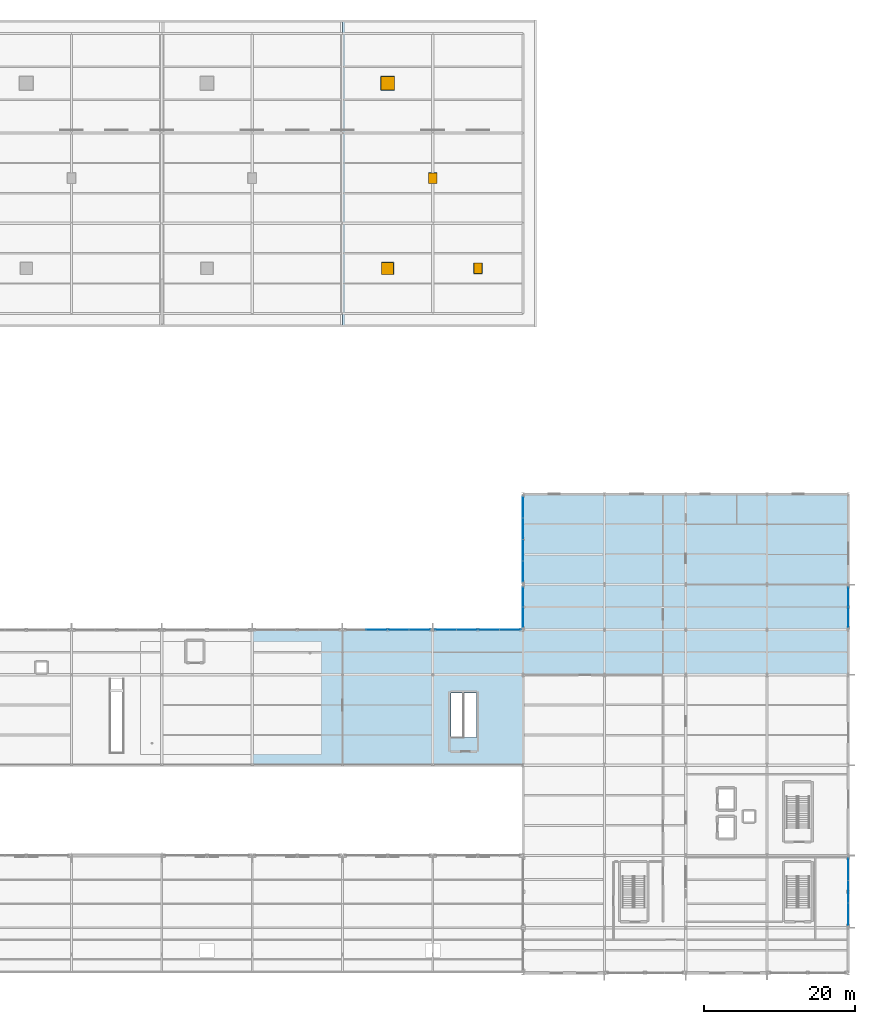
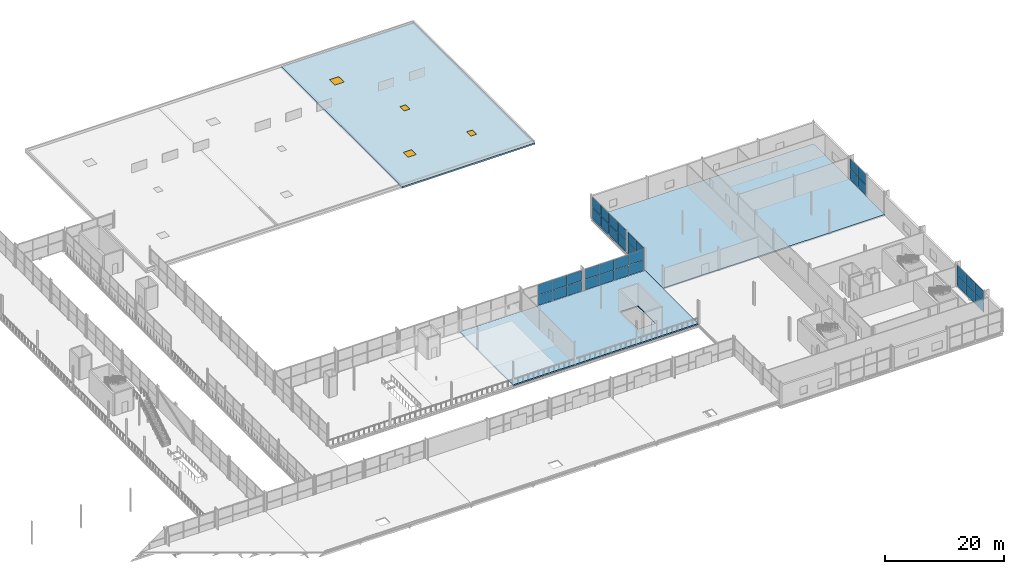
# One storey, part 126 of 159: 36 plates, 4 windows, 3 slabs, 4 openings, 6 elements without a shape of their own.
"""IFC4 building model written with IfcOpenShell, lengths in metres."""

from ifc_helpers import new_model, si_unit, direction, frame, origin, origin_2d, place, context, subcontext, project, spatial, polyline, rectangle, outline, extrude, material, layer, layer_set, type_object, element, fill, aggregate, save


model = new_model("IFC4")

# Units and contexts
model_context = context("Model", 3, precision=1e-05, world=origin(), true_north=direction((0.0, 1.0)))
body_context = subcontext(model_context, "Body", "Model", "MODEL_VIEW")
ifc_project = project(units=[si_unit("LENGTHUNIT", "METRE"), si_unit("AREAUNIT", "SQUARE_METRE"), si_unit("VOLUMEUNIT", "CUBIC_METRE"), si_unit("PLANEANGLEUNIT", "RADIAN"), si_unit("MASSUNIT", "GRAM", prefix="KILO")], contexts=[model_context])

# Site, building, storey
site_placement = place(None, origin())
site = spatial("IfcSite", under=ifc_project, at=site_placement, CompositionType="ELEMENT")
building_placement = place(site_placement, origin())
building = spatial("IfcBuilding", under=site, at=building_placement, Name="Merenkruunu Market Hall", CompositionType="ELEMENT")
storey_placement = place(building_placement, frame((0.0, 0.0, 5.39990234375)))
storey = spatial("IfcBuildingStorey", under=building, at=storey_placement, Name="L01", CompositionType="ELEMENT", Elevation=5.39990234375)

# Curtain wall, plates
ifc_material_1 = material(Name="Powder-coated aluminium", Category="aluminium")
curtain_wall_type_1 = type_object("IfcCurtainWallType", Name="Glazed Curtain Wall CW05", PredefinedType="USERDEFINED", material=ifc_material_1)
curtain_wall_1_placement = place(storey_placement, origin())
curtain_wall_1 = element("IfcCurtainWall", 1, at=curtain_wall_1_placement, inside=storey, type_object=curtain_wall_type_1, Name="CW-L01-CWM02-197", ObjectType="GLAZED_FACADE", PredefinedType="USERDEFINED")
ifc_material_2 = material(Name="Triple low-E insulated glass", Category="glass")
ifc_layer_1 = layer(ifc_material_2, 0.0380859375)
ifc_layer_set_1 = layer_set([ifc_layer_1], Name="Triple low-E insulated glass")
plate_type_1 = type_object("IfcPlateType", Name="Curtain Wall Glazing Panel CWP04", PredefinedType="CURTAIN_PANEL", material=ifc_layer_set_1)
plate_1_placement = place(storey_placement, frame((129.3701171875, 45.60009765625, 0.06005859375), z_axis=(0.0, 0.0, 1.0), x_axis=(1.0, 0.0, 0.0)))
plate_1 = element("IfcPlate", 2, at=plate_1_placement, type_object=plate_type_1, Name="CW05 panel 2.1", PredefinedType="CURTAIN_PANEL", context=body_context, shape_type="SweptSolid", body=[
    extrude(rectangle(XDim=2.800048828125, YDim=0.0380859375, at=origin_2d()), origin(), (0.0, 0.0, 1.0), 2.110107421875),
])
plate_2_placement = place(storey_placement, frame((129.3701171875, 45.60009765625, 2.22998046875), z_axis=(0.0, 0.0, 1.0), x_axis=(1.0, 0.0, 0.0)))
plate_2 = element("IfcPlate", 3, at=plate_2_placement, type_object=plate_type_1, Name="CW05 panel 2.2", PredefinedType="CURTAIN_PANEL", context=body_context, shape_type="SweptSolid", body=[
    extrude(rectangle(XDim=2.800048828125, YDim=0.0380859375, at=origin_2d()), origin(), (0.0, 0.0, 1.0), 2.110107421875),
])
plate_3_placement = place(storey_placement, frame((132.22998046875, 45.60009765625, 0.06005859375), z_axis=(0.0, 0.0, 1.0), x_axis=(1.0, 0.0, 0.0)))
plate_3 = element("IfcPlate", 4, at=plate_3_placement, type_object=plate_type_1, Name="CW05 panel 3.1", PredefinedType="CURTAIN_PANEL", context=body_context, shape_type="SweptSolid", body=[
    extrude(rectangle(XDim=2.800048828125, YDim=0.0380859375, at=origin_2d()), origin(), (0.0, 0.0, 1.0), 2.110107421875),
])
plate_4_placement = place(storey_placement, frame((132.22998046875, 45.60009765625, 2.22998046875), z_axis=(0.0, 0.0, 1.0), x_axis=(1.0, 0.0, 0.0)))
plate_4 = element("IfcPlate", 5, at=plate_4_placement, type_object=plate_type_1, Name="CW05 panel 3.2", PredefinedType="CURTAIN_PANEL", context=body_context, shape_type="SweptSolid", body=[
    extrude(rectangle(XDim=2.800048828125, YDim=0.0380859375, at=origin_2d()), origin(), (0.0, 0.0, 1.0), 2.110107421875),
])
plate_5_placement = place(storey_placement, frame((135.074951171875, 45.60009765625, 0.06005859375), z_axis=(0.0, 0.0, 1.0), x_axis=(1.0, 0.0, 0.0)))
plate_5 = element("IfcPlate", 6, at=plate_5_placement, type_object=plate_type_1, Name="CW05 panel 4.1", PredefinedType="CURTAIN_PANEL", context=body_context, shape_type="SweptSolid", body=[
    extrude(rectangle(XDim=2.77001953125, YDim=0.0380859375, at=origin_2d()), origin(), (0.0, 0.0, 1.0), 2.110107421875),
])
plate_6_placement = place(storey_placement, frame((135.074951171875, 45.60009765625, 2.22998046875), z_axis=(0.0, 0.0, 1.0), x_axis=(1.0, 0.0, 0.0)))
plate_6 = element("IfcPlate", 7, at=plate_6_placement, type_object=plate_type_1, Name="CW05 panel 4.2", PredefinedType="CURTAIN_PANEL", context=body_context, shape_type="SweptSolid", body=[
    extrude(rectangle(XDim=2.77001953125, YDim=0.0380859375, at=origin_2d()), origin(), (0.0, 0.0, 1.0), 2.110107421875),
])
aggregate(curtain_wall_1, [plate_1, plate_2, plate_3, plate_4, plate_5, plate_6])

curtain_wall_2_placement = place(storey_placement, origin())
curtain_wall_2 = element("IfcCurtainWall", 8, at=curtain_wall_2_placement, inside=storey, type_object=curtain_wall_type_1, Name="CW-L01-CWM02-200", ObjectType="GLAZED_FACADE", PredefinedType="USERDEFINED")
plate_7_placement = place(storey_placement, frame((138.52490234375, 45.60009765625, 0.06005859375), z_axis=(0.0, 0.0, 1.0), x_axis=(1.0, 0.0, 0.0)))
plate_7 = element("IfcPlate", 9, at=plate_7_placement, type_object=plate_type_1, Name="CW05 panel 1.1", PredefinedType="CURTAIN_PANEL", context=body_context, shape_type="SweptSolid", body=[
    extrude(rectangle(XDim=2.77001953125, YDim=0.0380859375, at=origin_2d()), origin(), (0.0, 0.0, 1.0), 2.110107421875),
])
plate_8_placement = place(storey_placement, frame((138.52490234375, 45.60009765625, 2.22998046875), z_axis=(0.0, 0.0, 1.0), x_axis=(1.0, 0.0, 0.0)))
plate_8 = element("IfcPlate", 10, at=plate_8_placement, type_object=plate_type_1, Name="CW05 panel 1.2", PredefinedType="CURTAIN_PANEL", context=body_context, shape_type="SweptSolid", body=[
    extrude(rectangle(XDim=2.77001953125, YDim=0.0380859375, at=origin_2d()), origin(), (0.0, 0.0, 1.0), 2.110107421875),
])
plate_9_placement = place(storey_placement, frame((141.3701171875, 45.60009765625, 0.06005859375), z_axis=(0.0, 0.0, 1.0), x_axis=(1.0, 0.0, 0.0)))
plate_9 = element("IfcPlate", 11, at=plate_9_placement, type_object=plate_type_1, Name="CW05 panel 2.1", PredefinedType="CURTAIN_PANEL", context=body_context, shape_type="SweptSolid", body=[
    extrude(rectangle(XDim=2.800048828125, YDim=0.0380859375, at=origin_2d()), origin(), (0.0, 0.0, 1.0), 2.110107421875),
])
plate_10_placement = place(storey_placement, frame((141.3701171875, 45.60009765625, 2.22998046875), z_axis=(0.0, 0.0, 1.0), x_axis=(1.0, 0.0, 0.0)))
plate_10 = element("IfcPlate", 12, at=plate_10_placement, type_object=plate_type_1, Name="CW05 panel 2.2", PredefinedType="CURTAIN_PANEL", context=body_context, shape_type="SweptSolid", body=[
    extrude(rectangle(XDim=2.800048828125, YDim=0.0380859375, at=origin_2d()), origin(), (0.0, 0.0, 1.0), 2.110107421875),
])
plate_11_placement = place(storey_placement, frame((144.22998046875, 45.60009765625, 0.06005859375), z_axis=(0.0, 0.0, 1.0), x_axis=(1.0, 0.0, 0.0)))
plate_11 = element("IfcPlate", 13, at=plate_11_placement, type_object=plate_type_1, Name="CW05 panel 3.1", PredefinedType="CURTAIN_PANEL", context=body_context, shape_type="SweptSolid", body=[
    extrude(rectangle(XDim=2.800048828125, YDim=0.0380859375, at=origin_2d()), origin(), (0.0, 0.0, 1.0), 2.110107421875),
])
plate_12_placement = place(storey_placement, frame((144.22998046875, 45.60009765625, 2.22998046875), z_axis=(0.0, 0.0, 1.0), x_axis=(1.0, 0.0, 0.0)))
plate_12 = element("IfcPlate", 14, at=plate_12_placement, type_object=plate_type_1, Name="CW05 panel 3.2", PredefinedType="CURTAIN_PANEL", context=body_context, shape_type="SweptSolid", body=[
    extrude(rectangle(XDim=2.800048828125, YDim=0.0380859375, at=origin_2d()), origin(), (0.0, 0.0, 1.0), 2.110107421875),
])
plate_13_placement = place(storey_placement, frame((147.074951171875, 45.60009765625, 0.06005859375), z_axis=(0.0, 0.0, 1.0), x_axis=(1.0, 0.0, 0.0)))
plate_13 = element("IfcPlate", 15, at=plate_13_placement, type_object=plate_type_1, Name="CW05 panel 4.1", PredefinedType="CURTAIN_PANEL", context=body_context, shape_type="SweptSolid", body=[
    extrude(rectangle(XDim=2.77001953125, YDim=0.0380859375, at=origin_2d()), origin(), (0.0, 0.0, 1.0), 2.110107421875),
])
plate_14_placement = place(storey_placement, frame((147.074951171875, 45.60009765625, 2.22998046875), z_axis=(0.0, 0.0, 1.0), x_axis=(1.0, 0.0, 0.0)))
plate_14 = element("IfcPlate", 16, at=plate_14_placement, type_object=plate_type_1, Name="CW05 panel 4.2", PredefinedType="CURTAIN_PANEL", context=body_context, shape_type="SweptSolid", body=[
    extrude(rectangle(XDim=2.77001953125, YDim=0.0380859375, at=origin_2d()), origin(), (0.0, 0.0, 1.0), 2.110107421875),
])
aggregate(curtain_wall_2, [plate_7, plate_8, plate_9, plate_10, plate_11, plate_12, plate_13, plate_14])

curtain_wall_type_2 = type_object("IfcCurtainWallType", Name="Glazed Curtain Wall CW07", PredefinedType="USERDEFINED", material=ifc_material_1)
curtain_wall_3_placement = place(storey_placement, origin())
curtain_wall_3 = element("IfcCurtainWall", 17, at=curtain_wall_3_placement, inside=storey, type_object=curtain_wall_type_2, Name="CW-L01-CWM03-209", ObjectType="GLAZED_FACADE", PredefinedType="USERDEFINED")
ifc_material_3 = material(Name="Powder-coated aluminium spandrel panel", Category="aluminium")
ifc_layer_2 = layer(ifc_material_3, 0.0419921875)
ifc_layer_set_2 = layer_set([ifc_layer_2], Name="Powder-coated aluminium spandrel panel")
plate_type_2 = type_object("IfcPlateType", Name="Curtain Wall Glazing Panel CWP06", PredefinedType="CURTAIN_PANEL", material=ifc_layer_set_2)
plate_15_placement = place(storey_placement, frame((192.0, 13.79833984375, 0.06005859375), z_axis=(0.0, 0.0, 1.0), x_axis=(0.0, -1.0, 0.0)))
plate_15 = element("IfcPlate", 18, at=plate_15_placement, type_object=plate_type_2, Name="CW07 panel 1.1", PredefinedType="CURTAIN_PANEL", context=body_context, shape_type="SweptSolid", body=[
    extrude(rectangle(XDim=2.92333984375, YDim=0.0419921875, at=origin_2d()), origin(), (0.0, 0.0, 1.0), 2.14990234375),
])
plate_16_placement = place(storey_placement, frame((192.0, 13.79833984375, 2.270263671875), z_axis=(0.0, 0.0, 1.0), x_axis=(0.0, -1.0, 0.0)))
plate_16 = element("IfcPlate", 19, at=plate_16_placement, type_object=plate_type_2, Name="CW07 panel 1.2", PredefinedType="CURTAIN_PANEL", context=body_context, shape_type="SweptSolid", body=[
    extrude(rectangle(XDim=2.92333984375, YDim=0.0419921875, at=origin_2d()), origin(), (0.0, 0.0, 1.0), 2.14990234375),
])
plate_17_placement = place(storey_placement, frame((192.0, 10.800048828125, 0.06005859375), z_axis=(0.0, 0.0, 1.0), x_axis=(0.0, -1.0, 0.0)))
plate_17 = element("IfcPlate", 20, at=plate_17_placement, type_object=plate_type_2, Name="CW07 panel 2.1", PredefinedType="CURTAIN_PANEL", context=body_context, shape_type="SweptSolid", body=[
    extrude(rectangle(XDim=2.953369140625, YDim=0.0419921875, at=origin_2d()), origin(), (0.0, 0.0, 1.0), 2.14990234375),
])
plate_18_placement = place(storey_placement, frame((192.0, 10.800048828125, 2.270263671875), z_axis=(0.0, 0.0, 1.0), x_axis=(0.0, -1.0, 0.0)))
plate_18 = element("IfcPlate", 21, at=plate_18_placement, type_object=plate_type_2, Name="CW07 panel 2.2", PredefinedType="CURTAIN_PANEL", context=body_context, shape_type="SweptSolid", body=[
    extrude(rectangle(XDim=2.953369140625, YDim=0.0419921875, at=origin_2d()), origin(), (0.0, 0.0, 1.0), 2.14990234375),
])
plate_19_placement = place(storey_placement, frame((192.0, 7.8017578125, 0.06005859375), z_axis=(0.0, 0.0, 1.0), x_axis=(0.0, -1.0, 0.0)))
plate_19 = element("IfcPlate", 22, at=plate_19_placement, type_object=plate_type_2, Name="CW07 panel 3.1", PredefinedType="CURTAIN_PANEL", context=body_context, shape_type="SweptSolid", body=[
    extrude(rectangle(XDim=2.92333984375, YDim=0.0419921875, at=origin_2d()), origin(), (0.0, 0.0, 1.0), 2.14990234375),
])
plate_20_placement = place(storey_placement, frame((192.0, 7.8017578125, 2.270263671875), z_axis=(0.0, 0.0, 1.0), x_axis=(0.0, -1.0, 0.0)))
plate_20 = element("IfcPlate", 23, at=plate_20_placement, type_object=plate_type_2, Name="CW07 panel 3.2", PredefinedType="CURTAIN_PANEL", context=body_context, shape_type="SweptSolid", body=[
    extrude(rectangle(XDim=2.92333984375, YDim=0.0419921875, at=origin_2d()), origin(), (0.0, 0.0, 1.0), 2.14990234375),
])
aggregate(curtain_wall_3, [plate_15, plate_16, plate_17, plate_18, plate_19, plate_20])

curtain_wall_type_3 = type_object("IfcCurtainWallType", Name="Glazed Curtain Wall CW13", PredefinedType="USERDEFINED", material=ifc_material_1)
curtain_wall_4_placement = place(storey_placement, origin())
curtain_wall_4 = element("IfcCurtainWall", 24, at=curtain_wall_4_placement, inside=storey, type_object=curtain_wall_type_3, Name="CW-L01-CWM03-210", ObjectType="GLAZED_FACADE", PredefinedType="USERDEFINED")
plate_21_placement = place(storey_placement, frame((192.0, 49.945068359375, 0.06005859375), z_axis=(0.0, 0.0, 1.0), x_axis=(0.0, -1.0, 0.0)))
plate_21 = element("IfcPlate", 25, at=plate_21_placement, type_object=plate_type_2, Name="CW13 panel 1.1", PredefinedType="CURTAIN_PANEL", context=body_context, shape_type="SweptSolid", body=[
    extrude(rectangle(XDim=2.6298828125, YDim=0.0419921875, at=origin_2d()), origin(), (0.0, 0.0, 1.0), 2.14990234375),
])
plate_22_placement = place(storey_placement, frame((192.0, 49.945068359375, 2.270263671875), z_axis=(0.0, 0.0, 1.0), x_axis=(0.0, -1.0, 0.0)))
plate_22 = element("IfcPlate", 26, at=plate_22_placement, type_object=plate_type_2, Name="CW13 panel 1.2", PredefinedType="CURTAIN_PANEL", context=body_context, shape_type="SweptSolid", body=[
    extrude(rectangle(XDim=2.6298828125, YDim=0.0419921875, at=origin_2d()), origin(), (0.0, 0.0, 1.0), 2.14990234375),
])
plate_23_placement = place(storey_placement, frame((192.0, 47.2548828125, 0.06005859375), z_axis=(0.0, 0.0, 1.0), x_axis=(0.0, -1.0, 0.0)))
plate_23 = element("IfcPlate", 27, at=plate_23_placement, type_object=plate_type_2, Name="CW13 panel 2.1", PredefinedType="CURTAIN_PANEL", context=body_context, shape_type="SweptSolid", body=[
    extrude(rectangle(XDim=2.6298828125, YDim=0.0419921875, at=origin_2d()), origin(), (0.0, 0.0, 1.0), 2.14990234375),
])
plate_24_placement = place(storey_placement, frame((192.0, 47.2548828125, 2.270263671875), z_axis=(0.0, 0.0, 1.0), x_axis=(0.0, -1.0, 0.0)))
plate_24 = element("IfcPlate", 28, at=plate_24_placement, type_object=plate_type_2, Name="CW13 panel 2.2", PredefinedType="CURTAIN_PANEL", context=body_context, shape_type="SweptSolid", body=[
    extrude(rectangle(XDim=2.6298828125, YDim=0.0419921875, at=origin_2d()), origin(), (0.0, 0.0, 1.0), 2.14990234375),
])
aggregate(curtain_wall_4, [plate_21, plate_22, plate_23, plate_24])

curtain_wall_type_4 = type_object("IfcCurtainWallType", Name="Glazed Curtain Wall CW14", PredefinedType="USERDEFINED", material=ifc_material_1)
curtain_wall_5_placement = place(storey_placement, origin())
curtain_wall_5 = element("IfcCurtainWall", 29, at=curtain_wall_5_placement, inside=storey, type_object=curtain_wall_type_4, Name="CW-L01-CWM02-213", ObjectType="GLAZED_FACADE", PredefinedType="USERDEFINED")
ifc_layer_3 = layer(ifc_material_2, 0.0380859375)
ifc_layer_set_3 = layer_set([ifc_layer_3], Name="Triple low-E insulated glass")
plate_type_3 = type_object("IfcPlateType", Name="Curtain Wall Glazing Panel CWP10", PredefinedType="CURTAIN_PANEL", material=ifc_layer_set_3)
plate_25_placement = place(storey_placement, frame((148.800048828125, 47.2548828125, 0.06005859375), z_axis=(0.0, 0.0, 1.0), x_axis=(0.0, 1.0, 0.0)))
plate_25 = element("IfcPlate", 30, at=plate_25_placement, type_object=plate_type_3, Name="CW14 panel 1.1", PredefinedType="CURTAIN_PANEL", context=body_context, shape_type="SweptSolid", body=[
    extrude(rectangle(XDim=2.6298828125, YDim=0.0380859375, at=origin_2d()), origin(), (0.0, 0.0, 1.0), 2.14990234375),
])
plate_26_placement = place(storey_placement, frame((148.800048828125, 47.2548828125, 2.270263671875), z_axis=(0.0, 0.0, 1.0), x_axis=(0.0, 1.0, 0.0)))
plate_26 = element("IfcPlate", 31, at=plate_26_placement, type_object=plate_type_3, Name="CW14 panel 1.2", PredefinedType="CURTAIN_PANEL", context=body_context, shape_type="SweptSolid", body=[
    extrude(rectangle(XDim=2.6298828125, YDim=0.0380859375, at=origin_2d()), origin(), (0.0, 0.0, 1.0), 2.14990234375),
])
plate_27_placement = place(storey_placement, frame((148.800048828125, 49.945068359375, 0.06005859375), z_axis=(0.0, 0.0, 1.0), x_axis=(0.0, 1.0, 0.0)))
plate_27 = element("IfcPlate", 32, at=plate_27_placement, type_object=plate_type_3, Name="CW14 panel 2.1", PredefinedType="CURTAIN_PANEL", context=body_context, shape_type="SweptSolid", body=[
    extrude(rectangle(XDim=2.6298828125, YDim=0.0380859375, at=origin_2d()), origin(), (0.0, 0.0, 1.0), 2.14990234375),
])
plate_28_placement = place(storey_placement, frame((148.800048828125, 49.945068359375, 2.270263671875), z_axis=(0.0, 0.0, 1.0), x_axis=(0.0, 1.0, 0.0)))
plate_28 = element("IfcPlate", 33, at=plate_28_placement, type_object=plate_type_3, Name="CW14 panel 2.2", PredefinedType="CURTAIN_PANEL", context=body_context, shape_type="SweptSolid", body=[
    extrude(rectangle(XDim=2.6298828125, YDim=0.0380859375, at=origin_2d()), origin(), (0.0, 0.0, 1.0), 2.14990234375),
])
aggregate(curtain_wall_5, [plate_25, plate_26, plate_27, plate_28])

curtain_wall_6_placement = place(storey_placement, origin())
curtain_wall_6 = element("IfcCurtainWall", 34, at=curtain_wall_6_placement, inside=storey, type_object=curtain_wall_type_4, Name="CW-L01-CWM02-214", ObjectType="GLAZED_FACADE", PredefinedType="USERDEFINED")
plate_29_placement = place(storey_placement, frame((148.800048828125, 53.324951171875, 0.06005859375), z_axis=(0.0, 0.0, 1.0), x_axis=(0.0, 1.0, 0.0)))
plate_29 = element("IfcPlate", 35, at=plate_29_placement, type_object=plate_type_3, Name="CW14 panel 1.1", PredefinedType="CURTAIN_PANEL", context=body_context, shape_type="SweptSolid", body=[
    extrude(rectangle(XDim=2.77001953125, YDim=0.0380859375, at=origin_2d()), origin(), (0.0, 0.0, 1.0), 2.14990234375),
])
plate_30_placement = place(storey_placement, frame((148.800048828125, 53.324951171875, 2.270263671875), z_axis=(0.0, 0.0, 1.0), x_axis=(0.0, 1.0, 0.0)))
plate_30 = element("IfcPlate", 36, at=plate_30_placement, type_object=plate_type_3, Name="CW14 panel 1.2", PredefinedType="CURTAIN_PANEL", context=body_context, shape_type="SweptSolid", body=[
    extrude(rectangle(XDim=2.77001953125, YDim=0.0380859375, at=origin_2d()), origin(), (0.0, 0.0, 1.0), 2.14990234375),
])
plate_31_placement = place(storey_placement, frame((148.800048828125, 56.169921875, 0.06005859375), z_axis=(0.0, 0.0, 1.0), x_axis=(0.0, 1.0, 0.0)))
plate_31 = element("IfcPlate", 37, at=plate_31_placement, type_object=plate_type_3, Name="CW14 panel 2.1", PredefinedType="CURTAIN_PANEL", context=body_context, shape_type="SweptSolid", body=[
    extrude(rectangle(XDim=2.800048828125, YDim=0.0380859375, at=origin_2d()), origin(), (0.0, 0.0, 1.0), 2.14990234375),
])
plate_32_placement = place(storey_placement, frame((148.800048828125, 56.169921875, 2.270263671875), z_axis=(0.0, 0.0, 1.0), x_axis=(0.0, 1.0, 0.0)))
plate_32 = element("IfcPlate", 38, at=plate_32_placement, type_object=plate_type_3, Name="CW14 panel 2.2", PredefinedType="CURTAIN_PANEL", context=body_context, shape_type="SweptSolid", body=[
    extrude(rectangle(XDim=2.800048828125, YDim=0.0380859375, at=origin_2d()), origin(), (0.0, 0.0, 1.0), 2.14990234375),
])
plate_33_placement = place(storey_placement, frame((148.800048828125, 59.030029296875, 0.06005859375), z_axis=(0.0, 0.0, 1.0), x_axis=(0.0, 1.0, 0.0)))
plate_33 = element("IfcPlate", 39, at=plate_33_placement, type_object=plate_type_3, Name="CW14 panel 3.1", PredefinedType="CURTAIN_PANEL", context=body_context, shape_type="SweptSolid", body=[
    extrude(rectangle(XDim=2.800048828125, YDim=0.0380859375, at=origin_2d()), origin(), (0.0, 0.0, 1.0), 2.14990234375),
])
plate_34_placement = place(storey_placement, frame((148.800048828125, 59.030029296875, 2.270263671875), z_axis=(0.0, 0.0, 1.0), x_axis=(0.0, 1.0, 0.0)))
plate_34 = element("IfcPlate", 40, at=plate_34_placement, type_object=plate_type_3, Name="CW14 panel 3.2", PredefinedType="CURTAIN_PANEL", context=body_context, shape_type="SweptSolid", body=[
    extrude(rectangle(XDim=2.800048828125, YDim=0.0380859375, at=origin_2d()), origin(), (0.0, 0.0, 1.0), 2.14990234375),
])
plate_35_placement = place(storey_placement, frame((148.800048828125, 61.875, 0.06005859375), z_axis=(0.0, 0.0, 1.0), x_axis=(0.0, 1.0, 0.0)))
plate_35 = element("IfcPlate", 41, at=plate_35_placement, type_object=plate_type_3, Name="CW14 panel 4.1", PredefinedType="CURTAIN_PANEL", context=body_context, shape_type="SweptSolid", body=[
    extrude(rectangle(XDim=2.77001953125, YDim=0.0380859375, at=origin_2d()), origin(), (0.0, 0.0, 1.0), 2.14990234375),
])
plate_36_placement = place(storey_placement, frame((148.800048828125, 61.875, 2.270263671875), z_axis=(0.0, 0.0, 1.0), x_axis=(0.0, 1.0, 0.0)))
plate_36 = element("IfcPlate", 42, at=plate_36_placement, type_object=plate_type_3, Name="CW14 panel 4.2", PredefinedType="CURTAIN_PANEL", context=body_context, shape_type="SweptSolid", body=[
    extrude(rectangle(XDim=2.77001953125, YDim=0.0380859375, at=origin_2d()), origin(), (0.0, 0.0, 1.0), 2.14990234375),
])
aggregate(curtain_wall_6, [plate_29, plate_30, plate_31, plate_32, plate_33, plate_34, plate_35, plate_36])

# Slab, openings, windows
ifc_material_4 = material(Name="Precast concrete C40/50", Category="concrete")
ifc_layer_4 = layer(ifc_material_4, 0.320068359375)
ifc_layer_set_4 = layer_set([ifc_layer_4], Name="Precast concrete C40/50")
slab_type_1 = type_object("IfcSlabType", Name="Sloped Or Flat Roof Deck RS03", PredefinedType="ROOF", material=ifc_layer_set_4)
slab_1_placement = place(storey_placement, frame((0.0, 0.0, 0.900146484375)))
slab_1 = element("IfcSlab", 43, at=slab_1_placement, inside=storey, type_object=slab_type_1, Name="SL-ROOF-V5-03", PredefinedType="ROOF", context=body_context, shape_type="SweptSolid", body=[
    extrude(outline(polyline([(124.800048828125, 85.800048828125), (150.60009765625, 85.800048828125), (150.60009765625, 126.60009765625), (124.800048828125, 126.60009765625), (124.800048828125, 85.800048828125)])), origin(), (0.0, 0.0, 1.0), 0.320068359375),
])
opening_1_placement = place(slab_1_placement, frame((136.800048828125, 105.60009765625, 0.0)))
opening_1 = element("IfcOpeningElement", 44, at=opening_1_placement, cuts=slab_1, Name="Opening SK04", PredefinedType="OPENING", context=body_context, shape_type="SweptSolid", body=[
    extrude(rectangle(XDim=1.10009765625, YDim=1.39990234375, at=origin_2d()), origin(), (0.0, 0.0, 1.0), 0.320068359375),
])
opening_2_placement = place(slab_1_placement, frame((130.800048828125, 93.60009765625, 0.0)))
opening_2 = element("IfcOpeningElement", 45, at=opening_2_placement, cuts=slab_1, Name="Opening SK05", PredefinedType="OPENING", context=body_context, shape_type="SweptSolid", body=[
    extrude(rectangle(XDim=1.60009765625, YDim=1.60009765625, at=origin_2d()), origin(), (0.0, 0.0, 1.0), 0.320068359375),
])
opening_3_placement = place(slab_1_placement, frame((130.800048828125, 118.199951171875, 0.0)))
opening_3 = element("IfcOpeningElement", 46, at=opening_3_placement, cuts=slab_1, Name="Opening SK06", PredefinedType="OPENING", context=body_context, shape_type="SweptSolid", body=[
    extrude(rectangle(XDim=1.800048828125, YDim=1.800048828125, at=origin_2d()), origin(), (0.0, 0.0, 1.0), 0.320068359375),
])
opening_4_placement = place(slab_1_placement, frame((142.800048828125, 93.60009765625, 0.0)))
opening_4 = element("IfcOpeningElement", 47, at=opening_4_placement, cuts=slab_1, Name="Opening SK04", PredefinedType="OPENING", context=body_context, shape_type="SweptSolid", body=[
    extrude(rectangle(XDim=1.10009765625, YDim=1.39990234375, at=origin_2d()), origin(), (0.0, 0.0, 1.0), 0.320068359375),
])
ifc_material_5 = material(Name="Diamond skylight blue triple glass", Category="glass")
ifc_layer_5 = layer(ifc_material_5, 0.06005859375)
ifc_layer_set_5 = layer_set([ifc_layer_5], Name="Diamond skylight blue triple glass")
window_type_1 = type_object("IfcWindowType", Name="Concourse Roof Skylight SK05", PartitioningType="SINGLE_PANEL", PredefinedType="SKYLIGHT", material=ifc_layer_set_5)
window_1_placement = place(opening_2_placement, frame((0.0, 0.0, 0.27001953125)))
window_1 = element("IfcWindow", 48, at=window_1_placement, inside=storey, type_object=window_type_1, Name="SKY-HATCH-06", OverallHeight=1.60009765625, OverallWidth=1.60009765625, PartitioningType="SINGLE_PANEL", PredefinedType="SKYLIGHT", context=body_context, shape_type="SweptSolid", body=[
    extrude(rectangle(XDim=1.60009765625, YDim=1.60009765625, at=origin_2d()), origin(), (0.0, 0.0, 1.0), 0.050048828125),
])
fill(opening_2, window_1)
ifc_layer_6 = layer(ifc_material_5, 0.06005859375)
ifc_layer_set_6 = layer_set([ifc_layer_6], Name="Diamond skylight blue triple glass")
window_type_2 = type_object("IfcWindowType", Name="Pavilion Oculus Skylight SK06", PartitioningType="SINGLE_PANEL", PredefinedType="SKYLIGHT", material=ifc_layer_set_6)
window_2_placement = place(opening_3_placement, frame((0.0, 0.0, 0.27001953125)))
window_2 = element("IfcWindow", 49, at=window_2_placement, inside=storey, type_object=window_type_2, Name="SKY-HATCH-09", OverallHeight=1.800048828125, OverallWidth=1.800048828125, PartitioningType="SINGLE_PANEL", PredefinedType="SKYLIGHT", context=body_context, shape_type="SweptSolid", body=[
    extrude(rectangle(XDim=1.800048828125, YDim=1.800048828125, at=origin_2d()), origin(), (0.0, 0.0, 1.0), 0.050048828125),
])
fill(opening_3, window_2)
ifc_layer_7 = layer(ifc_material_5, 0.06005859375)
ifc_layer_set_7 = layer_set([ifc_layer_7], Name="Diamond skylight blue triple glass")
window_type_3 = type_object("IfcWindowType", Name="Roof Access Skylight Hatch SK04", PartitioningType="SINGLE_PANEL", PredefinedType="SKYLIGHT", material=ifc_layer_set_7)
window_3_placement = place(opening_1_placement, frame((0.0, 0.0, 0.27001953125)))
window_3 = element("IfcWindow", 50, at=window_3_placement, inside=storey, type_object=window_type_3, Name="SKY-HATCH-03", OverallHeight=1.39990234375, OverallWidth=1.10009765625, PartitioningType="SINGLE_PANEL", PredefinedType="SKYLIGHT", context=body_context, shape_type="SweptSolid", body=[
    extrude(rectangle(XDim=1.10009765625, YDim=1.39990234375, at=origin_2d()), origin(), (0.0, 0.0, 1.0), 0.050048828125),
])
fill(opening_1, window_3)
window_4_placement = place(opening_4_placement, frame((0.0, 0.0, 0.27001953125)))
window_4 = element("IfcWindow", 51, at=window_4_placement, inside=storey, type_object=window_type_3, Name="SKY-HATCH-10", OverallHeight=1.39990234375, OverallWidth=1.10009765625, PartitioningType="SINGLE_PANEL", PredefinedType="SKYLIGHT", context=body_context, shape_type="SweptSolid", body=[
    extrude(rectangle(XDim=1.10009765625, YDim=1.39990234375, at=origin_2d()), origin(), (0.0, 0.0, 1.0), 0.050048828125),
])
fill(opening_4, window_4)

# Slabs
ifc_material_6 = material(Name="Concrete C35/45", Category="concrete")
ifc_layer_8 = layer(ifc_material_6, 0.280029296875)
ifc_layer_set_8 = layer_set([ifc_layer_8], Name="Concrete C35/45")
slab_type_2 = type_object("IfcSlabType", Name="Suspended Floor Slab FS03", PredefinedType="FLOOR", material=ifc_layer_set_8)
slab_2_placement = place(storey_placement, frame((0.0, 0.0, -0.27978515625)))
element("IfcSlab", 52, at=slab_2_placement, inside=storey, type_object=slab_type_2, Name="SL-L01-V2E", PredefinedType="FLOOR", context=body_context, shape_type="SweptSolid", body=[
    extrude(outline(polyline([(112.800048828125, 27.60009765625), (148.800048828125, 27.60009765625), (148.800048828125, 45.60009765625), (112.800048828125, 45.60009765625), (112.800048828125, 27.60009765625)]), holes=[polyline([(139.18994140625, 31.260009765625), (142.610107421875, 31.260009765625), (142.610107421875, 37.2099609375), (139.18994140625, 37.2099609375), (139.18994140625, 31.260009765625)])]), origin(), (0.0, 0.0, 1.0), 0.27978515625),
])
slab_3_placement = place(storey_placement, frame((0.0, 0.0, -0.27978515625)))
element("IfcSlab", 53, at=slab_3_placement, inside=storey, type_object=slab_type_2, Name="SL-L01-V3N", PredefinedType="FLOOR", context=body_context, shape_type="SweptSolid", body=[
    extrude(outline(polyline([(148.800048828125, 39.60009765625), (192.0, 39.60009765625), (192.0, 63.60009765625), (148.800048828125, 63.60009765625), (148.800048828125, 39.60009765625)])), origin(), (0.0, 0.0, 1.0), 0.27978515625),
])

save(model, "model.ifc")
